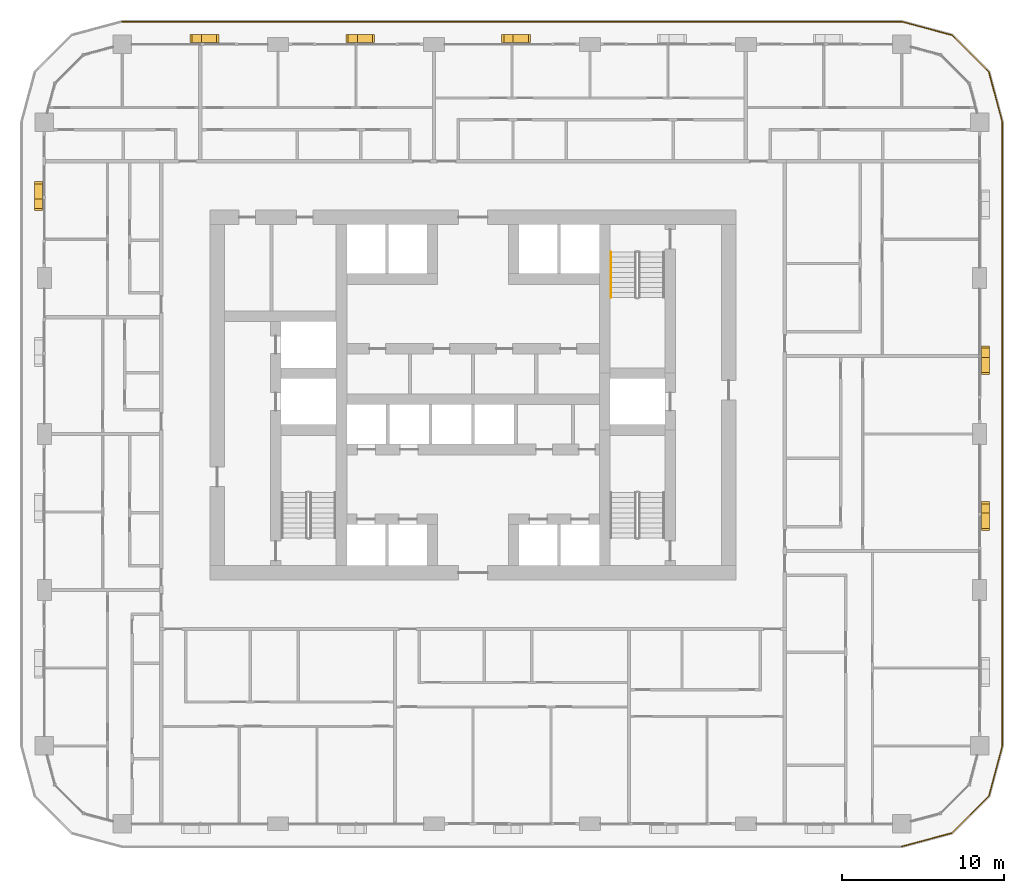
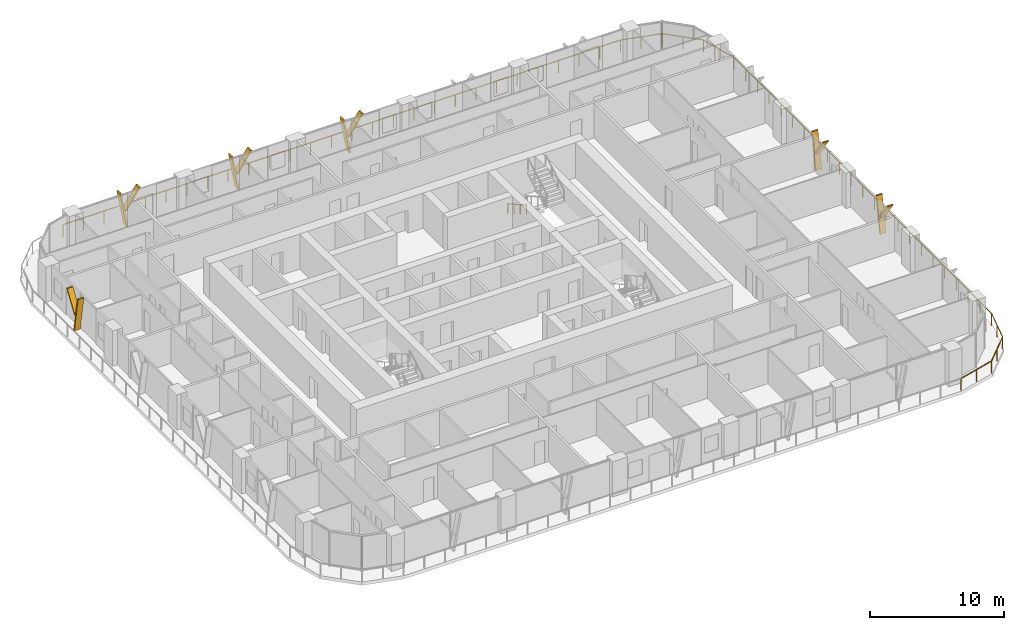
# One storey, part 21 of 22: 12 shading devices, 2 railings.
"""IFC4 building model written with IfcOpenShell, lengths in metres."""

from ifc_helpers import new_model, si_unit, direction, frame, origin, origin_2d, place, context, subcontext, project, spatial, polyline, circle, outline, extrude, material, type_object, element, save


model = new_model("IFC4")

# Units and contexts
model_context = context("Model", 3, precision=1e-05, world=origin(), true_north=direction((0.0, 1.0)))
body_context = subcontext(model_context, "Body", "Model", "MODEL_VIEW")
ifc_project = project(units=[si_unit("LENGTHUNIT", "METRE"), si_unit("AREAUNIT", "SQUARE_METRE"), si_unit("VOLUMEUNIT", "CUBIC_METRE"), si_unit("PLANEANGLEUNIT", "RADIAN"), si_unit("MASSUNIT", "GRAM", prefix="KILO")], contexts=[model_context])

# Site, building, storey
site_placement = place(None, origin())
site = spatial("IfcSite", under=ifc_project, at=site_placement, CompositionType="ELEMENT")
building_placement = place(site_placement, origin())
building = spatial("IfcBuilding", under=site, at=building_placement, Name="Madar Terraces", CompositionType="ELEMENT")
storey_placement = place(building_placement, frame((0.0, 0.0, 59.300048828125)))
storey = spatial("IfcBuildingStorey", under=building, at=storey_placement, Name="L14", CompositionType="ELEMENT", Elevation=59.300048828125)

# Railing
ifc_material_1 = material(Name="Glass, safety glazing, with stainless steel posts", Category="steel")
railing_type_1 = type_object("IfcRailingType", Name="Balcony glass guard 1100", PredefinedType="GUARDRAIL", material=ifc_material_1)
railing_1_placement = place(storey_placement, frame((57.60009765625, -1.39990234375, 0.0)))
element("IfcRailing", 1, at=railing_1_placement, inside=storey, type_object=railing_type_1, Name="Balcony guard", PredefinedType="GUARDRAIL", context=body_context, shape_type="SweptSolid", body=[
    extrude(circle(Radius=0.02392578125, at=origin_2d()), frame((0.0, 0.0, 1.076171875), z_axis=(0.965928696102, 0.258808334578, 0.0), x_axis=(-0.258808334578, 0.965928696102, 0.0)), (0.0, 0.0, 1.0), 3.209228515625),
    extrude(circle(Radius=0.02392578125, at=origin_2d()), frame((3.099853515625, 0.83056640625, 1.076171875), z_axis=(0.707144815061, 0.707068745266, 0.0), x_axis=(-0.707068745266, 0.707144815061, 0.0)), (0.0, 0.0, 1.0), 3.20947265625),
    extrude(circle(Radius=0.02392578125, at=origin_2d()), frame((5.369384765625, 3.099853515625, 1.076171875), z_axis=(0.258789317819, 0.9659337912, 0.0), x_axis=(-0.9659337912, 0.258789317819, 0.0)), (0.0, 0.0, 1.0), 3.20947265625),
    extrude(circle(Radius=0.02392578125, at=origin_2d()), frame((6.199951171875, 6.199951171875, 1.076171875), z_axis=(0.0, 1.0, 0.0), x_axis=(-1.0, 0.0, 0.0)), (0.0, 0.0, 1.0), 38.39990234375),
    extrude(circle(Radius=0.02392578125, at=origin_2d()), frame((6.199951171875, 44.599853515625, 1.076171875), z_axis=(-0.258789317819, 0.9659337912, 0.0), x_axis=(-0.9659337912, -0.258789317819, 0.0)), (0.0, 0.0, 1.0), 3.20947265625),
    extrude(circle(Radius=0.02392578125, at=origin_2d()), frame((5.369384765625, 47.699951171875, 1.076171875), z_axis=(-0.707144815061, 0.707068745266, 0.0), x_axis=(-0.707068745266, -0.707144815061, 0.0)), (0.0, 0.0, 1.0), 3.20947265625),
    extrude(circle(Radius=0.02392578125, at=origin_2d()), frame((3.099853515625, 49.96923828125, 1.076171875), z_axis=(-0.965928696102, 0.258808334578, 0.0), x_axis=(-0.258808334578, -0.965928696102, 0.0)), (0.0, 0.0, 1.0), 3.209228515625),
    extrude(circle(Radius=0.02392578125, at=origin_2d()), frame((0.0, 50.7998046875, 1.076171875), z_axis=(-1.0, 0.0, 0.0), x_axis=(0.0, -1.0, 0.0)), (0.0, 0.0, 1.0), 48.0),
    extrude(circle(Radius=0.02099609375, at=origin_2d()), origin(), (0.0, 0.0, 1.0), 1.052001953125),
    extrude(circle(Radius=0.02099609375, at=origin_2d()), frame((1.5498046875, 0.415283203125, 0.0)), (0.0, 0.0, 1.0), 1.052001953125),
    extrude(circle(Radius=0.02099609375, at=origin_2d()), frame((3.099853515625, 0.83056640625, 0.0)), (0.0, 0.0, 1.0), 1.052001953125),
    extrude(circle(Radius=0.02099609375, at=origin_2d()), frame((4.234619140625, 1.96533203125, 0.0)), (0.0, 0.0, 1.0), 1.052001953125),
    extrude(circle(Radius=0.02099609375, at=origin_2d()), frame((5.369384765625, 3.099853515625, 0.0)), (0.0, 0.0, 1.0), 1.052001953125),
    extrude(circle(Radius=0.02099609375, at=origin_2d()), frame((5.78466796875, 4.64990234375, 0.0)), (0.0, 0.0, 1.0), 1.052001953125),
    extrude(circle(Radius=0.02099609375, at=origin_2d()), frame((6.199951171875, 6.199951171875, 0.0)), (0.0, 0.0, 1.0), 1.052001953125),
    extrude(circle(Radius=0.02099609375, at=origin_2d()), frame((6.199951171875, 7.9453125, 0.0)), (0.0, 0.0, 1.0), 1.052001953125),
    extrude(circle(Radius=0.02099609375, at=origin_2d()), frame((6.199951171875, 9.69091796875, 0.0)), (0.0, 0.0, 1.0), 1.052001953125),
    extrude(circle(Radius=0.02099609375, at=origin_2d()), frame((6.199951171875, 11.436279296875, 0.0)), (0.0, 0.0, 1.0), 1.052001953125),
    extrude(circle(Radius=0.02099609375, at=origin_2d()), frame((6.199951171875, 13.181640625, 0.0)), (0.0, 0.0, 1.0), 1.052001953125),
    extrude(circle(Radius=0.02099609375, at=origin_2d()), frame((6.199951171875, 14.92724609375, 0.0)), (0.0, 0.0, 1.0), 1.052001953125),
    extrude(circle(Radius=0.02099609375, at=origin_2d()), frame((6.199951171875, 16.672607421875, 0.0)), (0.0, 0.0, 1.0), 1.052001953125),
    extrude(circle(Radius=0.02099609375, at=origin_2d()), frame((6.199951171875, 18.418212890625, 0.0)), (0.0, 0.0, 1.0), 1.052001953125),
    extrude(circle(Radius=0.02099609375, at=origin_2d()), frame((6.199951171875, 20.16357421875, 0.0)), (0.0, 0.0, 1.0), 1.052001953125),
    extrude(circle(Radius=0.02099609375, at=origin_2d()), frame((6.199951171875, 21.908935546875, 0.0)), (0.0, 0.0, 1.0), 1.052001953125),
    extrude(circle(Radius=0.02099609375, at=origin_2d()), frame((6.199951171875, 23.654541015625, 0.0)), (0.0, 0.0, 1.0), 1.052001953125),
    extrude(circle(Radius=0.02099609375, at=origin_2d()), frame((6.199951171875, 25.39990234375, 0.0)), (0.0, 0.0, 1.0), 1.052001953125),
    extrude(circle(Radius=0.02099609375, at=origin_2d()), frame((6.199951171875, 27.145263671875, 0.0)), (0.0, 0.0, 1.0), 1.052001953125),
    extrude(circle(Radius=0.02099609375, at=origin_2d()), frame((6.199951171875, 28.890869140625, 0.0)), (0.0, 0.0, 1.0), 1.052001953125),
    extrude(circle(Radius=0.02099609375, at=origin_2d()), frame((6.199951171875, 30.63623046875, 0.0)), (0.0, 0.0, 1.0), 1.052001953125),
    extrude(circle(Radius=0.02099609375, at=origin_2d()), frame((6.199951171875, 32.381591796875, 0.0)), (0.0, 0.0, 1.0), 1.052001953125),
    extrude(circle(Radius=0.02099609375, at=origin_2d()), frame((6.199951171875, 34.127197265625, 0.0)), (0.0, 0.0, 1.0), 1.052001953125),
    extrude(circle(Radius=0.02099609375, at=origin_2d()), frame((6.199951171875, 35.87255859375, 0.0)), (0.0, 0.0, 1.0), 1.052001953125),
    extrude(circle(Radius=0.02099609375, at=origin_2d()), frame((6.199951171875, 37.6181640625, 0.0)), (0.0, 0.0, 1.0), 1.052001953125),
    extrude(circle(Radius=0.02099609375, at=origin_2d()), frame((6.199951171875, 39.363525390625, 0.0)), (0.0, 0.0, 1.0), 1.052001953125),
    extrude(circle(Radius=0.02099609375, at=origin_2d()), frame((6.199951171875, 41.10888671875, 0.0)), (0.0, 0.0, 1.0), 1.052001953125),
    extrude(circle(Radius=0.02099609375, at=origin_2d()), frame((6.199951171875, 42.8544921875, 0.0)), (0.0, 0.0, 1.0), 1.052001953125),
    extrude(circle(Radius=0.02099609375, at=origin_2d()), frame((6.199951171875, 44.599853515625, 0.0)), (0.0, 0.0, 1.0), 1.052001953125),
    extrude(circle(Radius=0.02099609375, at=origin_2d()), frame((5.78466796875, 46.14990234375, 0.0)), (0.0, 0.0, 1.0), 1.052001953125),
    extrude(circle(Radius=0.02099609375, at=origin_2d()), frame((5.369384765625, 47.699951171875, 0.0)), (0.0, 0.0, 1.0), 1.052001953125),
    extrude(circle(Radius=0.02099609375, at=origin_2d()), frame((4.234619140625, 48.83447265625, 0.0)), (0.0, 0.0, 1.0), 1.052001953125),
    extrude(circle(Radius=0.02099609375, at=origin_2d()), frame((3.099853515625, 49.96923828125, 0.0)), (0.0, 0.0, 1.0), 1.052001953125),
    extrude(circle(Radius=0.02099609375, at=origin_2d()), frame((1.5498046875, 50.384521484375, 0.0)), (0.0, 0.0, 1.0), 1.052001953125),
    extrude(circle(Radius=0.02099609375, at=origin_2d()), frame((0.0, 50.7998046875, 0.0)), (0.0, 0.0, 1.0), 1.052001953125),
    extrude(circle(Radius=0.02099609375, at=origin_2d()), frame((-1.77783203125, 50.7998046875, 0.0)), (0.0, 0.0, 1.0), 1.052001953125),
    extrude(circle(Radius=0.02099609375, at=origin_2d()), frame((-3.5556640625, 50.7998046875, 0.0)), (0.0, 0.0, 1.0), 1.052001953125),
    extrude(circle(Radius=0.02099609375, at=origin_2d()), frame((-5.333251953125, 50.7998046875, 0.0)), (0.0, 0.0, 1.0), 1.052001953125),
    extrude(circle(Radius=0.02099609375, at=origin_2d()), frame((-7.111083984375, 50.7998046875, 0.0)), (0.0, 0.0, 1.0), 1.052001953125),
    extrude(circle(Radius=0.02099609375, at=origin_2d()), frame((-8.888916015625, 50.7998046875, 0.0)), (0.0, 0.0, 1.0), 1.052001953125),
    extrude(circle(Radius=0.02099609375, at=origin_2d()), frame((-10.666748046875, 50.7998046875, 0.0)), (0.0, 0.0, 1.0), 1.052001953125),
    extrude(circle(Radius=0.02099609375, at=origin_2d()), frame((-12.4443359375, 50.7998046875, 0.0)), (0.0, 0.0, 1.0), 1.052001953125),
    extrude(circle(Radius=0.02099609375, at=origin_2d()), frame((-14.22216796875, 50.7998046875, 0.0)), (0.0, 0.0, 1.0), 1.052001953125),
    extrude(circle(Radius=0.02099609375, at=origin_2d()), frame((-16.0, 50.7998046875, 0.0)), (0.0, 0.0, 1.0), 1.052001953125),
    extrude(circle(Radius=0.02099609375, at=origin_2d()), frame((-17.77783203125, 50.7998046875, 0.0)), (0.0, 0.0, 1.0), 1.052001953125),
    extrude(circle(Radius=0.02099609375, at=origin_2d()), frame((-19.5556640625, 50.7998046875, 0.0)), (0.0, 0.0, 1.0), 1.052001953125),
    extrude(circle(Radius=0.02099609375, at=origin_2d()), frame((-21.333251953125, 50.7998046875, 0.0)), (0.0, 0.0, 1.0), 1.052001953125),
    extrude(circle(Radius=0.02099609375, at=origin_2d()), frame((-23.111083984375, 50.7998046875, 0.0)), (0.0, 0.0, 1.0), 1.052001953125),
    extrude(circle(Radius=0.02099609375, at=origin_2d()), frame((-24.888916015625, 50.7998046875, 0.0)), (0.0, 0.0, 1.0), 1.052001953125),
    extrude(circle(Radius=0.02099609375, at=origin_2d()), frame((-26.666748046875, 50.7998046875, 0.0)), (0.0, 0.0, 1.0), 1.052001953125),
    extrude(circle(Radius=0.02099609375, at=origin_2d()), frame((-28.4443359375, 50.7998046875, 0.0)), (0.0, 0.0, 1.0), 1.052001953125),
    extrude(circle(Radius=0.02099609375, at=origin_2d()), frame((-30.22216796875, 50.7998046875, 0.0)), (0.0, 0.0, 1.0), 1.052001953125),
    extrude(circle(Radius=0.02099609375, at=origin_2d()), frame((-32.0, 50.7998046875, 0.0)), (0.0, 0.0, 1.0), 1.052001953125),
    extrude(circle(Radius=0.02099609375, at=origin_2d()), frame((-33.77783203125, 50.7998046875, 0.0)), (0.0, 0.0, 1.0), 1.052001953125),
    extrude(circle(Radius=0.02099609375, at=origin_2d()), frame((-35.5556640625, 50.7998046875, 0.0)), (0.0, 0.0, 1.0), 1.052001953125),
    extrude(circle(Radius=0.02099609375, at=origin_2d()), frame((-37.333251953125, 50.7998046875, 0.0)), (0.0, 0.0, 1.0), 1.052001953125),
    extrude(circle(Radius=0.02099609375, at=origin_2d()), frame((-39.111083984375, 50.7998046875, 0.0)), (0.0, 0.0, 1.0), 1.052001953125),
    extrude(circle(Radius=0.02099609375, at=origin_2d()), frame((-40.888916015625, 50.7998046875, 0.0)), (0.0, 0.0, 1.0), 1.052001953125),
    extrude(circle(Radius=0.02099609375, at=origin_2d()), frame((-42.666748046875, 50.7998046875, 0.0)), (0.0, 0.0, 1.0), 1.052001953125),
    extrude(circle(Radius=0.02099609375, at=origin_2d()), frame((-44.4443359375, 50.7998046875, 0.0)), (0.0, 0.0, 1.0), 1.052001953125),
    extrude(circle(Radius=0.02099609375, at=origin_2d()), frame((-46.22216796875, 50.7998046875, 0.0)), (0.0, 0.0, 1.0), 1.052001953125),
    extrude(circle(Radius=0.02099609375, at=origin_2d()), frame((-48.0, 50.7998046875, 0.0)), (0.0, 0.0, 1.0), 1.052001953125),
])

# Shading devices
ifc_material_2 = material(Name="Aluminium, black anodised", Category="aluminium")
shading_device_type = type_object("IfcShadingDeviceType", Name="Facade fin blade 140 x 500", PredefinedType="USERDEFINED", material=ifc_material_2)
shading_device_1_placement = place(storey_placement, frame((62.75, 19.1298828125, 0.0), z_axis=(0.0, 0.0, 1.0), x_axis=(0.0, 1.0, 0.0)))
element("IfcShadingDevice", 2, at=shading_device_1_placement, inside=storey, type_object=shading_device_type, Name="FIN L14 E2", ObjectType="FIN", PredefinedType="USERDEFINED", context=body_context, shape_type="SweptSolid", body=[
    extrude(outline(polyline([(0.0, 0.0), (0.14013671875, 0.0), (0.704345703125, 3.199951171875), (0.564208984375, 3.199951171875), (0.0, 0.0)])), frame((0.0, 0.25, 0.0), z_axis=(0.0, -1.0, 0.0), x_axis=(1.0, 0.0, 0.0)), (0.0, 0.0, 1.0), 0.5),
])
shading_device_2_placement = place(storey_placement, frame((62.75, 19.243896484375, 1.43994140625), z_axis=(0.0, 0.0, 1.0), x_axis=(0.0, 1.0, 0.0)))
element("IfcShadingDevice", 3, at=shading_device_2_placement, inside=storey, type_object=shading_device_type, Name="FIN L14 E2 branch", ObjectType="FIN", PredefinedType="USERDEFINED", context=body_context, shape_type="SweptSolid", body=[
    extrude(outline(polyline([(0.0, 0.0), (0.139892578125, 0.0), (-1.049560546875, 1.760009765625), (-1.189697265625, 1.760009765625), (0.0, 0.0)])), frame((0.0, 0.25, 0.0), z_axis=(0.0, -1.0, 0.0), x_axis=(1.0, 0.0, 0.0)), (0.0, 0.0, 1.0), 0.5),
])
shading_device_3_placement = place(storey_placement, frame((62.75, 28.72998046875, 0.0), z_axis=(0.0, 0.0, 1.0), x_axis=(0.0, 1.0, 0.0)))
element("IfcShadingDevice", 4, at=shading_device_3_placement, inside=storey, type_object=shading_device_type, Name="FIN L14 E3", ObjectType="FIN", PredefinedType="USERDEFINED", context=body_context, shape_type="SweptSolid", body=[
    extrude(outline(polyline([(0.0, 0.0), (0.14013671875, 0.0), (0.704345703125, 3.199951171875), (0.564208984375, 3.199951171875), (0.0, 0.0)])), frame((0.0, 0.25, 0.0), z_axis=(0.0, -1.0, 0.0), x_axis=(1.0, 0.0, 0.0)), (0.0, 0.0, 1.0), 0.5),
])
shading_device_4_placement = place(storey_placement, frame((62.75, 28.843994140625, 1.43994140625), z_axis=(0.0, 0.0, 1.0), x_axis=(0.0, 1.0, 0.0)))
element("IfcShadingDevice", 5, at=shading_device_4_placement, inside=storey, type_object=shading_device_type, Name="FIN L14 E3 branch", ObjectType="FIN", PredefinedType="USERDEFINED", context=body_context, shape_type="SweptSolid", body=[
    extrude(outline(polyline([(0.0, 0.0), (0.139892578125, 0.0), (-1.049560546875, 1.760009765625), (-1.189697265625, 1.760009765625), (0.0, 0.0)])), frame((0.0, 0.25, 0.0), z_axis=(0.0, -1.0, 0.0), x_axis=(1.0, 0.0, 0.0)), (0.0, 0.0, 1.0), 0.5),
])
shading_device_5_placement = place(storey_placement, frame((33.669921875, 48.35009765625, 0.0), z_axis=(0.0, 0.0, 1.0), x_axis=(-1.0, 0.0, 0.0)))
element("IfcShadingDevice", 6, at=shading_device_5_placement, inside=storey, type_object=shading_device_type, Name="FIN L14 N3", ObjectType="FIN", PredefinedType="USERDEFINED", context=body_context, shape_type="SweptSolid", body=[
    extrude(outline(polyline([(0.0, 0.0), (0.139892578125, 0.0), (0.704345703125, 3.199951171875), (0.564208984375, 3.199951171875), (0.0, 0.0)])), frame((0.0, 0.25, 0.0), z_axis=(0.0, -1.0, 0.0), x_axis=(1.0, 0.0, 0.0)), (0.0, 0.0, 1.0), 0.5),
])
shading_device_6_placement = place(storey_placement, frame((33.55615234375, 48.35009765625, 1.43994140625), z_axis=(0.0, 0.0, 1.0), x_axis=(-1.0, 0.0, 0.0)))
element("IfcShadingDevice", 7, at=shading_device_6_placement, inside=storey, type_object=shading_device_type, Name="FIN L14 N3 branch", ObjectType="FIN", PredefinedType="USERDEFINED", context=body_context, shape_type="SweptSolid", body=[
    extrude(outline(polyline([(0.0, 0.0), (0.14013671875, 0.0), (-1.049560546875, 1.760009765625), (-1.189697265625, 1.760009765625), (0.0, 0.0)])), frame((0.0, 0.25, 0.0), z_axis=(0.0, -1.0, 0.0), x_axis=(1.0, 0.0, 0.0)), (0.0, 0.0, 1.0), 0.5),
])
shading_device_7_placement = place(storey_placement, frame((24.070068359375, 48.35009765625, 0.0), z_axis=(0.0, 0.0, 1.0), x_axis=(-1.0, 0.0, 0.0)))
element("IfcShadingDevice", 8, at=shading_device_7_placement, inside=storey, type_object=shading_device_type, Name="FIN L14 N4", ObjectType="FIN", PredefinedType="USERDEFINED", context=body_context, shape_type="SweptSolid", body=[
    extrude(outline(polyline([(0.0, 0.0), (0.14013671875, 0.0), (0.704345703125, 3.199951171875), (0.564208984375, 3.199951171875), (0.0, 0.0)])), frame((0.0, 0.25, 0.0), z_axis=(0.0, -1.0, 0.0), x_axis=(1.0, 0.0, 0.0)), (0.0, 0.0, 1.0), 0.5),
])
shading_device_8_placement = place(storey_placement, frame((23.9560546875, 48.35009765625, 1.43994140625), z_axis=(0.0, 0.0, 1.0), x_axis=(-1.0, 0.0, 0.0)))
element("IfcShadingDevice", 9, at=shading_device_8_placement, inside=storey, type_object=shading_device_type, Name="FIN L14 N4 branch", ObjectType="FIN", PredefinedType="USERDEFINED", context=body_context, shape_type="SweptSolid", body=[
    extrude(outline(polyline([(0.0, 0.0), (0.139892578125, 0.0), (-1.049560546875, 1.760009765625), (-1.189697265625, 1.760009765625), (0.0, 0.0)])), frame((0.0, 0.25, 0.0), z_axis=(0.0, -1.0, 0.0), x_axis=(1.0, 0.0, 0.0)), (0.0, 0.0, 1.0), 0.5),
])
shading_device_9_placement = place(storey_placement, frame((14.469970703125, 48.35009765625, 0.0), z_axis=(0.0, 0.0, 1.0), x_axis=(-1.0, 0.0, 0.0)))
element("IfcShadingDevice", 10, at=shading_device_9_placement, inside=storey, type_object=shading_device_type, Name="FIN L14 N5", ObjectType="FIN", PredefinedType="USERDEFINED", context=body_context, shape_type="SweptSolid", body=[
    extrude(outline(polyline([(0.0, 0.0), (0.139892578125, 0.0), (0.704345703125, 3.199951171875), (0.564208984375, 3.199951171875), (0.0, 0.0)])), frame((0.0, 0.25, 0.0), z_axis=(0.0, -1.0, 0.0), x_axis=(1.0, 0.0, 0.0)), (0.0, 0.0, 1.0), 0.5),
])
shading_device_10_placement = place(storey_placement, frame((14.356201171875, 48.35009765625, 1.43994140625), z_axis=(0.0, 0.0, 1.0), x_axis=(-1.0, 0.0, 0.0)))
element("IfcShadingDevice", 11, at=shading_device_10_placement, inside=storey, type_object=shading_device_type, Name="FIN L14 N5 branch", ObjectType="FIN", PredefinedType="USERDEFINED", context=body_context, shape_type="SweptSolid", body=[
    extrude(outline(polyline([(0.0, 0.0), (0.14013671875, 0.0), (-1.049560546875, 1.760009765625), (-1.189697265625, 1.760009765625), (0.0, 0.0)])), frame((0.0, 0.25, 0.0), z_axis=(0.0, -1.0, 0.0), x_axis=(1.0, 0.0, 0.0)), (0.0, 0.0, 1.0), 0.5),
])
shading_device_11_placement = place(storey_placement, frame((4.449951171875, 38.469970703125, 0.0), z_axis=(0.0, 0.0, 1.0), x_axis=(0.0, -1.0, 0.0)))
element("IfcShadingDevice", 12, at=shading_device_11_placement, inside=storey, type_object=shading_device_type, Name="FIN L14 W1", ObjectType="FIN", PredefinedType="USERDEFINED", context=body_context, shape_type="SweptSolid", body=[
    extrude(outline(polyline([(0.0, 0.0), (0.139892578125, 0.0), (0.704345703125, 3.199951171875), (0.564208984375, 3.199951171875), (0.0, 0.0)])), frame((0.0, 0.25, 0.0), z_axis=(0.0, -1.0, 0.0), x_axis=(1.0, 0.0, 0.0)), (0.0, 0.0, 1.0), 0.5),
])
shading_device_12_placement = place(storey_placement, frame((4.449951171875, 38.356201171875, 1.43994140625), z_axis=(0.0, 0.0, 1.0), x_axis=(0.0, -1.0, 0.0)))
element("IfcShadingDevice", 13, at=shading_device_12_placement, inside=storey, type_object=shading_device_type, Name="FIN L14 W1 branch", ObjectType="FIN", PredefinedType="USERDEFINED", context=body_context, shape_type="SweptSolid", body=[
    extrude(outline(polyline([(0.0, 0.0), (0.14013671875, 0.0), (-1.049560546875, 1.760009765625), (-1.189697265625, 1.760009765625), (0.0, 0.0)])), frame((0.0, 0.25, 0.0), z_axis=(0.0, -1.0, 0.0), x_axis=(1.0, 0.0, 0.0)), (0.0, 0.0, 1.0), 0.5),
])

# Railing
ifc_material_3 = material(Name="Stainless steel railing", Category="steel")
railing_type_2 = type_object("IfcRailingType", Name="Stair handrail 900", PredefinedType="HANDRAIL", material=ifc_material_3)
railing_2_placement = place(storey_placement, frame((39.699951171875, 35.199951171875, 0.175048828125)))
element("IfcRailing", 14, at=railing_2_placement, inside=storey, type_object=railing_type_2, Name="L14 ST2 stair handrail 1", PredefinedType="HANDRAIL", context=body_context, shape_type="SweptSolid", body=[
    extrude(circle(Radius=0.02392578125, at=origin_2d()), frame((0.0, 0.0, 0.8759765625), z_axis=(0.0, -0.870833779661, 0.491577591232), x_axis=(1.0, 0.0, 0.0)), (0.0, 0.0, 1.0), 3.203857421875),
    extrude(circle(Radius=0.02099609375, at=origin_2d()), origin(), (0.0, 0.0, 1.0), 0.851806640625),
    extrude(circle(Radius=0.02099609375, at=origin_2d()), frame((0.0, -0.929931640625, 0.52490234375)), (0.0, 0.0, 1.0), 0.851806640625),
    extrude(circle(Radius=0.02099609375, at=origin_2d()), frame((0.0, -1.860107421875, 1.050048828125)), (0.0, 0.0, 1.0), 0.851806640625),
    extrude(circle(Radius=0.02099609375, at=origin_2d()), frame((0.0, -2.7900390625, 1.574951171875)), (0.0, 0.0, 1.0), 0.851806640625),
])

save(model, "model.ifc")
